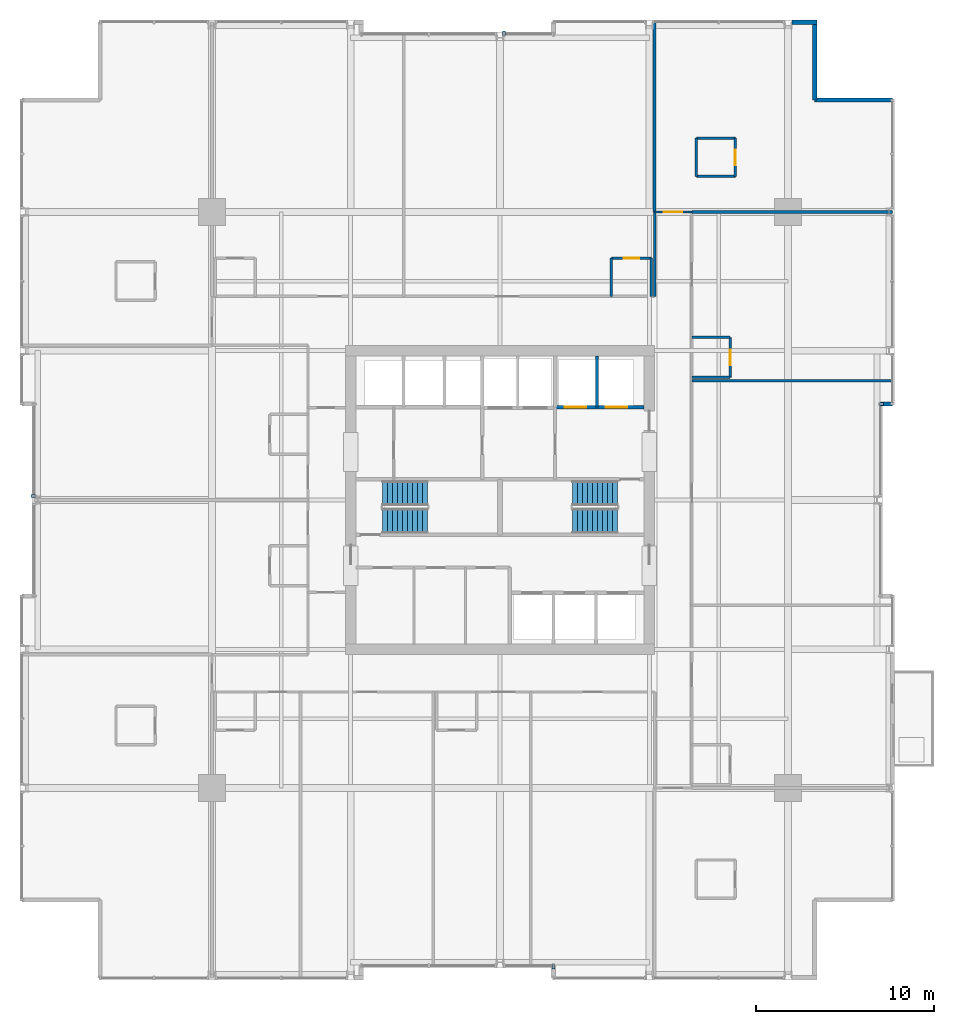
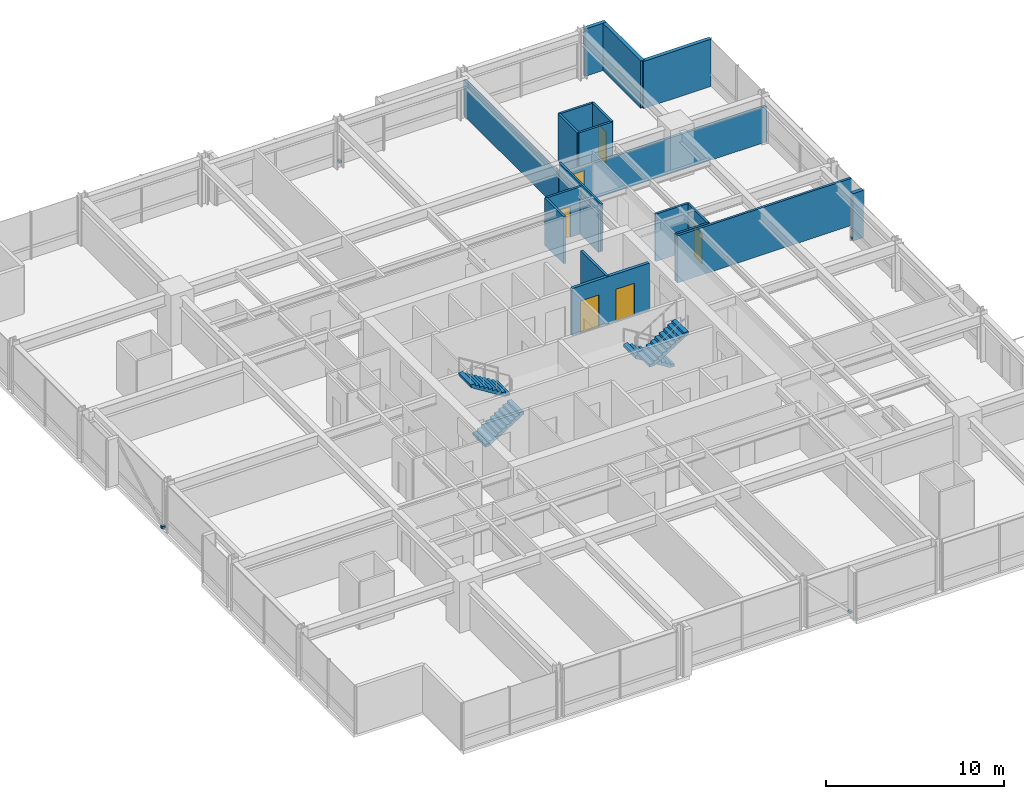
# One storey, part 31 of 34: 21 walls, 6 doors, 4 discrete accessories, 4 stair flights, 6 openings, 2 elements without a shape of their own.
"""IFC4 building model written with IfcOpenShell, lengths in metres."""

from ifc_helpers import new_model, si_unit, direction, frame, frame_2d, origin, origin_2d, place, context, subcontext, project, spatial, polyline, rectangle, outline, extrude, material, layer, layer_set, type_object, element, fill, aggregate, save


model = new_model("IFC4")

# Units and contexts
model_context = context("Model", 3, precision=1e-05, world=origin(), true_north=direction((0.0, 1.0)))
body_context = subcontext(model_context, "Body", "Model", "MODEL_VIEW")
ifc_project = project(units=[si_unit("LENGTHUNIT", "METRE"), si_unit("AREAUNIT", "SQUARE_METRE"), si_unit("VOLUMEUNIT", "CUBIC_METRE"), si_unit("PLANEANGLEUNIT", "RADIAN"), si_unit("MASSUNIT", "GRAM", prefix="KILO")], contexts=[model_context])

# Site, building, storey
site_placement = place(None, origin())
site = spatial("IfcSite", under=ifc_project, at=site_placement, CompositionType="ELEMENT")
building_placement = place(site_placement, origin())
building = spatial("IfcBuilding", under=site, at=building_placement, Name="Drelvath Grand Hotel", CompositionType="ELEMENT")
storey_placement = place(building_placement, frame((0.0, 0.0, 116.300048828125)))
storey = spatial("IfcBuildingStorey", under=building, at=storey_placement, Name="L29", CompositionType="ELEMENT", Elevation=116.300048828125)

# Wall, openings, doors
ifc_material_1 = material(Name="Concrete C40/50", Category="concrete")
ifc_layer_1 = layer(ifc_material_1, 0.199951171875)
ifc_layer_set_1 = layer_set([ifc_layer_1], Name="Concrete C40/50")
wall_type_1 = type_object("IfcWallType", Name="Core Hoistway Fire Wall 200", PredefinedType="SOLIDWALL", material=ifc_layer_set_1)
wall_1_placement = place(storey_placement, frame((3.10009765625, 32.219970703125, 0.0), z_axis=(0.0, 0.0, 1.0), x_axis=(1.0, 0.0, 0.0)))
wall_1 = element("IfcWall", 1, at=wall_1_placement, inside=storey, type_object=wall_type_1, Name="L29 FSAE Hoistway Front Wall", PredefinedType="SOLIDWALL", context=body_context, shape_type="SweptSolid", body=[
    extrude(rectangle(XDim=5.0, YDim=0.199951171875, at=frame_2d((2.5, 0.0))), origin(), (0.0, 0.0, 1.0), 3.239990234375),
])
opening_1_placement = place(wall_1_placement, frame((0.550048828125, 0.0, 0.0)))
opening_1 = element("IfcOpeningElement", 2, at=opening_1_placement, cuts=wall_1, Name="Opening LD-FSAE-1", PredefinedType="OPENING", context=body_context, shape_type="SweptSolid", body=[
    extrude(rectangle(XDim=1.199951171875, YDim=2.199951171875, at=frame_2d((0.60009765625, 1.10009765625))), frame((0.0, 0.10986328125, 0.0), z_axis=(0.0, -1.0, 0.0), x_axis=(1.0, 0.0, 0.0)), (0.0, 0.0, 1.0), 0.219970703125),
])
opening_2_placement = place(wall_1_placement, frame((2.85009765625, 0.0, 0.0)))
opening_2 = element("IfcOpeningElement", 3, at=opening_2_placement, cuts=wall_1, Name="Opening LD-FSAE-2", PredefinedType="OPENING", context=body_context, shape_type="SweptSolid", body=[
    extrude(rectangle(XDim=1.199951171875, YDim=2.199951171875, at=frame_2d((0.60009765625, 1.10009765625))), frame((0.0, 0.10986328125, 0.0), z_axis=(0.0, -1.0, 0.0), x_axis=(1.0, 0.0, 0.0)), (0.0, 0.0, 1.0), 0.219970703125),
])
ifc_material_2 = material(Name="Stainless Steel S355", Category="steel")
door_type_1 = type_object("IfcDoorType", Name="FSAE Lift Sliding Landing Door 1200x2200", OperationType="NOTDEFINED", PredefinedType="DOOR", material=ifc_material_2)
door_1_placement = place(opening_1_placement, origin())
door_1 = element("IfcDoor", 4, at=door_1_placement, inside=storey, type_object=door_type_1, Name="L29 Lift FSAE-1 Landing Door", OperationType="SLIDING_TO_LEFT", OverallHeight=2.199951171875, OverallWidth=1.199951171875, PredefinedType="DOOR", context=body_context, shape_type="SweptSolid", body=[
    extrude(rectangle(XDim=1.199951171875, YDim=2.199951171875, at=frame_2d((0.60009765625, 1.10009765625))), frame((0.0, 0.02490234375, 0.0), z_axis=(0.0, -1.0, 0.0), x_axis=(1.0, 0.0, 0.0)), (0.0, 0.0, 1.0), 0.050048828125),
])
fill(opening_1, door_1)
door_2_placement = place(opening_2_placement, origin())
door_2 = element("IfcDoor", 5, at=door_2_placement, inside=storey, type_object=door_type_1, Name="L29 Lift FSAE-2 Landing Door", OperationType="SLIDING_TO_LEFT", OverallHeight=2.199951171875, OverallWidth=1.199951171875, PredefinedType="DOOR", context=body_context, shape_type="SweptSolid", body=[
    extrude(rectangle(XDim=1.199951171875, YDim=2.199951171875, at=frame_2d((0.60009765625, 1.10009765625))), frame((0.0, 0.02490234375, 0.0), z_axis=(0.0, -1.0, 0.0), x_axis=(1.0, 0.0, 0.0)), (0.0, 0.0, 1.0), 0.050048828125),
])
fill(opening_2, door_2)

# Walls
ifc_material_3 = material(Name="Gypsum Fireboard Partition")
ifc_layer_2 = layer(ifc_material_3, 0.1650390625)
ifc_layer_set_2 = layer_set([ifc_layer_2], Name="Gypsum Fireboard Partition")
wall_type_2 = type_object("IfcWallType", Name="Core Shaft Partition 165", PredefinedType="PARTITIONING", material=ifc_layer_set_2)
wall_2_placement = place(storey_placement, frame((5.449951171875, 32.219970703125, 0.0), z_axis=(0.0, 0.0, 1.0), x_axis=(0.0, 1.0, 0.0)))
element("IfcWall", 6, at=wall_2_placement, inside=storey, type_object=wall_type_2, Name="L29 FSAE Hoistway Divider", PredefinedType="PARTITIONING", context=body_context, shape_type="SweptSolid", body=[
    extrude(rectangle(XDim=2.880126953125, YDim=0.1650390625, at=frame_2d((1.43994140625, 0.0))), origin(), (0.0, 0.0, 1.0), 3.239990234375),
])
ifc_layer_3 = layer(ifc_material_3, 0.135009765625)
ifc_layer_set_3 = layer_set([ifc_layer_3], Name="Gypsum Fireboard Partition")
wall_type_3 = type_object("IfcWallType", Name="Corridor Fire Barrier Wall 135", PredefinedType="PARTITIONING", material=ifc_layer_set_3)
wall_3_placement = place(storey_placement, frame((8.699951171875, 38.449951171875, 0.0), z_axis=(0.0, 0.0, 1.0), x_axis=(0.0, 1.0, 0.0)))
element("IfcWall", 7, at=wall_3_placement, inside=storey, type_object=wall_type_3, Name="L29 East Spine North Inner Wall", PredefinedType="PARTITIONING", context=body_context, shape_type="SweptSolid", body=[
    extrude(rectangle(XDim=4.75, YDim=0.135009765625, at=frame_2d((2.375, 0.0))), origin(), (0.0, 0.0, 1.0), 3.239990234375),
])

# Wall, opening, door
wall_4_placement = place(storey_placement, frame((8.699951171875, 43.199951171875, 0.0), z_axis=(0.0, 0.0, 1.0), x_axis=(1.0, 0.0, 0.0)))
wall_4 = element("IfcWall", 8, at=wall_4_placement, inside=storey, type_object=wall_type_3, Name="L29 East Spine North End", PredefinedType="PARTITIONING", context=body_context, shape_type="SweptSolid", body=[
    extrude(rectangle(XDim=2.10009765625, YDim=0.135009765625, at=frame_2d((1.050048828125, 0.0))), origin(), (0.0, 0.0, 1.0), 2.45166015625),
])
opening_3_placement = place(wall_4_placement, frame((0.52001953125, 0.0, 0.0)))
opening_3 = element("IfcOpeningElement", 9, at=opening_3_placement, cuts=wall_4, Name="Opening D-T2G3-028", PredefinedType="OPENING", context=body_context, shape_type="SweptSolid", body=[
    extrude(rectangle(XDim=1.02001953125, YDim=2.14990234375, at=frame_2d((0.510009765625, 1.074951171875))), frame((0.0, 0.077392578125, 0.0), z_axis=(0.0, -1.0, 0.0), x_axis=(1.0, 0.0, 0.0)), (0.0, 0.0, 1.0), 0.155029296875),
])
ifc_material_4 = material(Name="Hardwood Walnut Timber", Category="wood")
door_type_2 = type_object("IfcDoorType", Name="Amenity Meeting Fire Door 1020x2150", OperationType="NOTDEFINED", PredefinedType="DOOR", material=ifc_material_4)
door_3_placement = place(opening_3_placement, origin())
door_3 = element("IfcDoor", 10, at=door_3_placement, inside=storey, type_object=door_type_2, Name="L29 Corner Suite Entry Door", OperationType="SINGLE_SWING_LEFT", OverallHeight=2.14990234375, OverallWidth=1.02001953125, PredefinedType="DOOR", context=body_context, shape_type="SweptSolid", body=[
    extrude(rectangle(XDim=1.02001953125, YDim=2.14990234375, at=frame_2d((0.510009765625, 1.074951171875))), frame((0.0, 0.02490234375, 0.0), z_axis=(0.0, -1.0, 0.0), x_axis=(1.0, 0.0, 0.0)), (0.0, 0.0, 1.0), 0.050048828125),
])
fill(opening_3, door_3)

# Walls
ifc_material_5 = material(Name="Moisture-Resistant Gypsum Board")
ifc_layer_4 = layer(ifc_material_5, 0.139892578125)
ifc_layer_set_4 = layer_set([ifc_layer_4], Name="Moisture-Resistant Gypsum Board")
wall_type_4 = type_object("IfcWallType", Name="En-Suite Plumbing Wall 140", PredefinedType="PLUMBINGWALL", material=ifc_layer_set_4)
for number, where, z_axis, x_axis, name in (
    (11, (11.0400390625, 45.199951171875, 0.0), (0.0, 0.0, 1.0), (1.0, 0.0, 0.0), "L29 Corner En-Suite South"),
    (12, (11.0400390625, 47.35009765625, 0.0), (0.0, 0.0, 1.0), (1.0, 0.0, 0.0), "L29 Corner En-Suite North"),
):
    element("IfcWall", number, at=place(storey_placement, frame(where, z_axis=z_axis, x_axis=x_axis)), inside=storey, type_object=wall_type_4, Name=name, PredefinedType="PLUMBINGWALL", context=body_context, shape_type="SweptSolid", body=[
        extrude(rectangle(XDim=2.199951171875, YDim=0.139892578125, at=frame_2d((1.10009765625, 0.0))), origin(), (0.0, 0.0, 1.0), 3.239990234375),
    ])
wall_5_placement = place(storey_placement, frame((11.0400390625, 45.199951171875, 0.0), z_axis=(0.0, 0.0, 1.0), x_axis=(0.0, 1.0, 0.0)))
element("IfcWall", 13, at=wall_5_placement, inside=storey, type_object=wall_type_4, Name="L29 Corner En-Suite West", PredefinedType="PLUMBINGWALL", context=body_context, shape_type="SweptSolid", body=[
    extrude(rectangle(XDim=2.150146484375, YDim=0.139892578125, at=frame_2d((1.0751953125, 0.0))), origin(), (0.0, 0.0, 1.0), 3.239990234375),
])

# Wall, opening, door
wall_6_placement = place(storey_placement, frame((13.239990234375, 45.199951171875, 0.0), z_axis=(0.0, 0.0, 1.0), x_axis=(0.0, 1.0, 0.0)))
wall_6 = element("IfcWall", 14, at=wall_6_placement, inside=storey, type_object=wall_type_4, Name="L29 Corner En-Suite East", PredefinedType="PLUMBINGWALL", context=body_context, shape_type="SweptSolid", body=[
    extrude(rectangle(XDim=2.150146484375, YDim=0.139892578125, at=frame_2d((1.0751953125, 0.0))), origin(), (0.0, 0.0, 1.0), 3.239990234375),
])
opening_4_placement = place(wall_6_placement, frame((0.6201171875, 0.0, 0.0)))
opening_4 = element("IfcOpeningElement", 15, at=opening_4_placement, cuts=wall_6, Name="Opening D-T2G3-027", PredefinedType="OPENING", context=body_context, shape_type="SweptSolid", body=[
    extrude(rectangle(XDim=0.8798828125, YDim=2.10009765625, at=frame_2d((0.43994140625, 1.050048828125))), frame((0.0, 0.079833984375, 0.0), z_axis=(0.0, -1.0, 0.0), x_axis=(1.0, 0.0, 0.0)), (0.0, 0.0, 1.0), 0.159912109375),
])
door_type_3 = type_object("IfcDoorType", Name="En-Suite Bathroom Door 880x2100", OperationType="NOTDEFINED", PredefinedType="DOOR", material=ifc_material_4)
door_4_placement = place(opening_4_placement, origin())
door_4 = element("IfcDoor", 16, at=door_4_placement, inside=storey, type_object=door_type_3, Name="L29 Corner En-Suite Door", OperationType="SINGLE_SWING_RIGHT", OverallHeight=2.10009765625, OverallWidth=0.8798828125, PredefinedType="DOOR", context=body_context, shape_type="SweptSolid", body=[
    extrude(rectangle(XDim=0.8798828125, YDim=2.10009765625, at=frame_2d((0.43994140625, 1.050048828125))), frame((0.0, 0.02490234375, 0.0), z_axis=(0.0, -1.0, 0.0), x_axis=(1.0, 0.0, 0.0)), (0.0, 0.0, 1.0), 0.050048828125),
])
fill(opening_4, door_4)

# Walls
wall_7_placement = place(storey_placement, frame((6.27001953125, 38.449951171875, 0.0), z_axis=(0.0, 0.0, 1.0), x_axis=(0.0, 1.0, 0.0)))
element("IfcWall", 17, at=wall_7_placement, inside=storey, type_object=wall_type_4, Name="L29 En-Suite Left Wall", PredefinedType="PLUMBINGWALL", context=body_context, shape_type="SweptSolid", body=[
    extrude(rectangle(XDim=2.150146484375, YDim=0.139892578125, at=frame_2d((1.0751953125, 0.0))), origin(), (0.0, 0.0, 1.0), 3.239990234375),
])
wall_8_placement = place(storey_placement, frame((8.52001953125, 38.449951171875, 0.0), z_axis=(0.0, 0.0, 1.0), x_axis=(0.0, 1.0, 0.0)))
element("IfcWall", 18, at=wall_8_placement, inside=storey, type_object=wall_type_4, Name="L29 En-Suite Right Wall", PredefinedType="PLUMBINGWALL", context=body_context, shape_type="SweptSolid", body=[
    extrude(rectangle(XDim=2.150146484375, YDim=0.139892578125, at=frame_2d((1.0751953125, 0.0))), origin(), (0.0, 0.0, 1.0), 2.617431640625),
])

# Wall, opening, door
wall_9_placement = place(storey_placement, frame((6.27001953125, 40.60009765625, 0.0), z_axis=(0.0, 0.0, 1.0), x_axis=(1.0, 0.0, 0.0)))
wall_9 = element("IfcWall", 19, at=wall_9_placement, inside=storey, type_object=wall_type_4, Name="L29 En-Suite Front Wall", PredefinedType="PLUMBINGWALL", context=body_context, shape_type="SweptSolid", body=[
    extrude(rectangle(XDim=2.25, YDim=0.139892578125, at=frame_2d((1.125, 0.0))), origin(), (0.0, 0.0, 1.0), 3.239990234375),
])
opening_5_placement = place(wall_9_placement, frame((0.68505859375, 0.0, 0.0)))
opening_5 = element("IfcOpeningElement", 20, at=opening_5_placement, cuts=wall_9, Name="Opening D-T2G3-037", PredefinedType="OPENING", context=body_context, shape_type="SweptSolid", body=[
    extrude(rectangle(XDim=0.8798828125, YDim=2.10009765625, at=frame_2d((0.43994140625, 1.050048828125))), frame((0.0, 0.079833984375, 0.0), z_axis=(0.0, -1.0, 0.0), x_axis=(1.0, 0.0, 0.0)), (0.0, 0.0, 1.0), 0.159912109375),
])
door_5_placement = place(opening_5_placement, origin())
door_5 = element("IfcDoor", 21, at=door_5_placement, inside=storey, type_object=door_type_3, Name="L29 En-Suite Bathroom Door", OperationType="SINGLE_SWING_RIGHT", OverallHeight=2.10009765625, OverallWidth=0.8798828125, PredefinedType="DOOR", context=body_context, shape_type="SweptSolid", body=[
    extrude(rectangle(XDim=0.8798828125, YDim=2.10009765625, at=frame_2d((0.43994140625, 1.050048828125))), frame((0.0, 0.02490234375, 0.0), z_axis=(0.0, -1.0, 0.0), x_axis=(1.0, 0.0, 0.0)), (0.0, 0.0, 1.0), 0.050048828125),
])
fill(opening_5, door_5)

# Walls
for number, where, z_axis, x_axis, name in (
    (22, (10.800048828125, 33.897216796875, 0.0), (0.0, 0.0, 1.0), (1.0, 0.0, 0.0), "L29 En-Suite Left Wall"),
    (23, (10.800048828125, 36.147216796875, 0.0), (0.0, 0.0, 1.0), (1.0, 0.0, 0.0), "L29 En-Suite Right Wall"),
):
    element("IfcWall", number, at=place(storey_placement, frame(where, z_axis=z_axis, x_axis=x_axis)), inside=storey, type_object=wall_type_4, Name=name, PredefinedType="PLUMBINGWALL", context=body_context, shape_type="SweptSolid", body=[
        extrude(rectangle(XDim=2.14990234375, YDim=0.139892578125, at=frame_2d((1.074951171875, 0.0))), origin(), (0.0, 0.0, 1.0), 3.239990234375),
    ])

# Wall, opening, door
wall_10_placement = place(storey_placement, frame((12.949951171875, 33.897216796875, 0.0), z_axis=(0.0, 0.0, 1.0), x_axis=(0.0, 1.0, 0.0)))
wall_10 = element("IfcWall", 24, at=wall_10_placement, inside=storey, type_object=wall_type_4, Name="L29 En-Suite Front Wall", PredefinedType="PLUMBINGWALL", context=body_context, shape_type="SweptSolid", body=[
    extrude(rectangle(XDim=2.25, YDim=0.139892578125, at=frame_2d((1.125, 0.0))), origin(), (0.0, 0.0, 1.0), 3.239990234375),
])
opening_6_placement = place(wall_10_placement, frame((0.68505859375, 0.0, 0.0)))
opening_6 = element("IfcOpeningElement", 25, at=opening_6_placement, cuts=wall_10, Name="Opening D-T2G3-042", PredefinedType="OPENING", context=body_context, shape_type="SweptSolid", body=[
    extrude(rectangle(XDim=0.8798828125, YDim=2.10009765625, at=frame_2d((0.43994140625, 1.050048828125))), frame((0.0, 0.079833984375, 0.0), z_axis=(0.0, -1.0, 0.0), x_axis=(1.0, 0.0, 0.0)), (0.0, 0.0, 1.0), 0.159912109375),
])
door_6_placement = place(opening_6_placement, origin())
door_6 = element("IfcDoor", 26, at=door_6_placement, inside=storey, type_object=door_type_3, Name="L29 En-Suite Bathroom Door", OperationType="SINGLE_SWING_LEFT", OverallHeight=2.10009765625, OverallWidth=0.8798828125, PredefinedType="DOOR", context=body_context, shape_type="SweptSolid", body=[
    extrude(rectangle(XDim=0.8798828125, YDim=2.10009765625, at=frame_2d((0.43994140625, 1.050048828125))), frame((0.0, 0.02490234375, 0.0), z_axis=(0.0, -1.0, 0.0), x_axis=(1.0, 0.0, 0.0)), (0.0, 0.0, 1.0), 0.050048828125),
])
fill(opening_6, door_6)

# Walls
ifc_material_6 = material(Name="Gypsum Acoustic Partition")
ifc_layer_5 = layer(ifc_material_6, 0.14990234375)
ifc_layer_set_5 = layer_set([ifc_layer_5], Name="Gypsum Acoustic Partition")
wall_type_5 = type_object("IfcWallType", Name="Guestroom Demising Wall 150", PredefinedType="PARTITIONING", material=ifc_layer_set_5)
wall_11_placement = place(storey_placement, frame((10.800048828125, 33.717041015625, 0.0), z_axis=(0.0, 0.0, 1.0), x_axis=(1.0, 0.0, 0.0)))
element("IfcWall", 27, at=wall_11_placement, inside=storey, type_object=wall_type_5, Name="L29 East Demising 2", PredefinedType="PARTITIONING", context=body_context, shape_type="SweptSolid", body=[
    extrude(rectangle(XDim=11.280029296875, YDim=0.14990234375, at=frame_2d((5.64013671875, 0.0))), origin(), (0.0, 0.0, 1.0), 3.239990234375),
])
ifc_layer_6 = layer(ifc_material_6, 0.1650390625)
ifc_layer_set_6 = layer_set([ifc_layer_6], Name="Gypsum Acoustic Partition")
wall_type_6 = type_object("IfcWallType", Name="Suite Demising Wall 165", PredefinedType="PARTITIONING", material=ifc_layer_set_6)
wall_12_placement = place(storey_placement, frame((8.699951171875, 43.199951171875, 0.0), z_axis=(0.0, 0.0, 1.0), x_axis=(0.0, 1.0, 0.0)))
element("IfcWall", 28, at=wall_12_placement, inside=storey, type_object=wall_type_6, Name="L29 NE Suite West Wall", PredefinedType="PARTITIONING", context=body_context, shape_type="SweptSolid", body=[
    extrude(rectangle(XDim=10.679931640625, YDim=0.1650390625, at=frame_2d((5.33984375, 0.0))), origin(), (0.0, 0.0, 1.0), 2.45166015625),
])
wall_13_placement = place(storey_placement, frame((10.800048828125, 43.199951171875, 0.0), z_axis=(0.0, 0.0, 1.0), x_axis=(1.0, 0.0, 0.0)))
element("IfcWall", 29, at=wall_13_placement, inside=storey, type_object=wall_type_6, Name="L29 NE Suite South Wall", PredefinedType="PARTITIONING", context=body_context, shape_type="SweptSolid", body=[
    extrude(rectangle(XDim=11.280029296875, YDim=0.1650390625, at=frame_2d((5.64013671875, 0.0))), origin(), (0.0, 0.0, 1.0), 2.45166015625),
])
ifc_material_7 = material(Name="Pale-Metal Insulated Aluminium Spandrel Assembly", Category="aluminium")
ifc_layer_7 = layer(ifc_material_7, 0.239990234375)
ifc_layer_set_7 = layer_set([ifc_layer_7], Name="Pale-Metal Insulated Aluminium Spandrel Assembly")
wall_type_7 = type_object("IfcWallType", Name="Tower Insulated Metal Spandrel Closure Wall 240", PredefinedType="STANDARD", material=ifc_layer_set_7)
wall_14_placement = place(storey_placement, frame((16.419677734375, 53.8798828125, 0.0), z_axis=(0.0, 0.0, 1.0), x_axis=(1.0, 0.0, 0.0)))
element("IfcWall", 30, at=wall_14_placement, inside=storey, type_object=wall_type_7, Name="L29 Corner Pier Spandrel Wall NE3", PredefinedType="STANDARD", context=body_context, shape_type="SweptSolid", body=[
    extrude(rectangle(XDim=1.400390625, YDim=0.239990234375, at=frame_2d((0.7001953125, 0.0))), origin(), (0.0, 0.0, 1.0), 3.239990234375),
])
wall_15_placement = place(storey_placement, frame((17.699951171875, 53.760009765625, 0.0), z_axis=(0.0, 0.0, 1.0), x_axis=(0.0, -1.0, 0.0)))
element("IfcWall", 31, at=wall_15_placement, inside=storey, type_object=wall_type_7, Name="L29 Notched Corner Return Spandrel Wall CNE1", PredefinedType="STANDARD", context=body_context, shape_type="SweptSolid", body=[
    extrude(rectangle(XDim=4.260009765625, YDim=0.239990234375, at=frame_2d((2.1298828125, 0.0))), origin(), (0.0, 0.0, 1.0), 3.239990234375),
])
wall_16_placement = place(storey_placement, frame((17.699951171875, 49.5, 0.0), z_axis=(0.0, 0.0, 1.0), x_axis=(1.0, 0.0, 0.0)))
element("IfcWall", 32, at=wall_16_placement, inside=storey, type_object=wall_type_7, Name="L29 Notched Corner Return Spandrel Wall CNE2", PredefinedType="STANDARD", context=body_context, shape_type="SweptSolid", body=[
    extrude(rectangle(XDim=4.380126953125, YDim=0.239990234375, at=frame_2d((2.18994140625, 0.0))), origin(), (0.0, 0.0, 1.0), 3.239990234375),
])
wall_17_placement = place(storey_placement, frame((22.080078125, 32.39990234375, 0.0), z_axis=(0.0, 0.0, 1.0), x_axis=(-1.0, 0.0, 0.0)))
element("IfcWall", 33, at=wall_17_placement, inside=storey, type_object=wall_type_7, Name="L29 Notched Corner Return Spandrel Wall RE1", PredefinedType="STANDARD", context=body_context, shape_type="SweptSolid", body=[
    extrude(rectangle(XDim=0.68017578125, YDim=0.239990234375, at=frame_2d((0.340087890625, 0.0))), origin(), (0.0, 0.0, 1.0), 3.239990234375),
])

# Stair, stair flights
stair_type = type_object("IfcStairType", Name="Dogleg Exit Stair W1400-R175.0", PredefinedType="HALF_TURN_STAIR", material=ifc_material_1)
stair_1_placement = place(storey_placement, origin())
stair_1 = element("IfcStair", 34, at=stair_1_placement, inside=storey, type_object=stair_type, Name="L29 Core Exit Stair ST-1", PredefinedType="HALF_TURN_STAIR")
stair_flight_type = type_object("IfcStairFlightType", Name="Concrete Stair Flight W1400-R175.0", PredefinedType="STRAIGHT", material=ifc_material_1)
stair_flight_1_placement = place(storey_placement, frame((-6.60009765625, 25.820068359375, 0.0), z_axis=(0.0, 0.0, 1.0), x_axis=(1.0, 0.0, 0.0)))
stair_flight_1 = element("IfcStairFlight", 35, at=stair_flight_1_placement, type_object=stair_flight_type, Name="ST-1 flight 1", NumberOfRisers=10, NumberOfTreads=9, PredefinedType="STRAIGHT", RiserHeight=0.175, TreadLength=0.28, context=body_context, shape_type="SweptSolid", body=[
    extrude(outline(polyline([(0.0, 0.0), (0.0, 0.175048828125), (0.280029296875, 0.175048828125), (0.280029296875, 0.35009765625), (0.56005859375, 0.35009765625), (0.56005859375, 0.52490234375), (0.840087890625, 0.52490234375), (0.840087890625, 0.699951171875), (1.1201171875, 0.699951171875), (1.1201171875, 0.875), (1.39990234375, 0.875), (1.39990234375, 1.050048828125), (1.679931640625, 1.050048828125), (1.679931640625, 1.22509765625), (1.9599609375, 1.22509765625), (1.9599609375, 1.39990234375), (2.239990234375, 1.39990234375), (2.239990234375, 1.574951171875), (2.52001953125, 1.574951171875), (2.52001953125, 1.75), (2.52001953125, 1.386474609375), (0.3017578125, 0.0), (0.0, 0.0)])), frame((0.0, 0.699951171875, 0.0), z_axis=(0.0, -1.0, 0.0), x_axis=(1.0, 0.0, 0.0)), (0.0, 0.0, 1.0), 1.39990234375),
])
stair_flight_2_placement = place(storey_placement, frame((-4.080078125, 27.3798828125, 1.75), z_axis=(0.0, 0.0, 1.0), x_axis=(-1.0, 0.0, 0.0)))
stair_flight_2 = element("IfcStairFlight", 36, at=stair_flight_2_placement, type_object=stair_flight_type, Name="ST-1 flight 2", NumberOfRisers=10, NumberOfTreads=9, PredefinedType="STRAIGHT", RiserHeight=0.175, TreadLength=0.28, context=body_context, shape_type="SweptSolid", body=[
    extrude(outline(polyline([(0.0, 0.0), (0.0, 0.175048828125), (0.280029296875, 0.175048828125), (0.280029296875, 0.35009765625), (0.56005859375, 0.35009765625), (0.56005859375, 0.52490234375), (0.840087890625, 0.52490234375), (0.840087890625, 0.699951171875), (1.1201171875, 0.699951171875), (1.1201171875, 0.875), (1.39990234375, 0.875), (1.39990234375, 1.050048828125), (1.679931640625, 1.050048828125), (1.679931640625, 1.22509765625), (1.9599609375, 1.22509765625), (1.9599609375, 1.39990234375), (2.239990234375, 1.39990234375), (2.239990234375, 1.574951171875), (2.52001953125, 1.574951171875), (2.52001953125, 1.75), (2.52001953125, 1.386474609375), (0.3017578125, 0.0), (0.0, 0.0)])), frame((0.0, 0.699951171875, 0.0), z_axis=(0.0, -1.0, 0.0), x_axis=(1.0, 0.0, 0.0)), (0.0, 0.0, 1.0), 1.39990234375),
])
aggregate(stair_1, [stair_flight_1, stair_flight_2])

stair_2_placement = place(storey_placement, origin())
stair_2 = element("IfcStair", 37, at=stair_2_placement, inside=storey, type_object=stair_type, Name="L29 Core Exit Stair ST-2", PredefinedType="HALF_TURN_STAIR")
stair_flight_3_placement = place(storey_placement, frame((6.60009765625, 27.3798828125, 0.0), z_axis=(0.0, 0.0, 1.0), x_axis=(-1.0, 0.0, 0.0)))
stair_flight_3 = element("IfcStairFlight", 38, at=stair_flight_3_placement, type_object=stair_flight_type, Name="ST-2 flight 1", NumberOfRisers=10, NumberOfTreads=9, PredefinedType="STRAIGHT", RiserHeight=0.175, TreadLength=0.28, context=body_context, shape_type="SweptSolid", body=[
    extrude(outline(polyline([(0.0, 0.0), (0.0, 0.175048828125), (0.280029296875, 0.175048828125), (0.280029296875, 0.35009765625), (0.56005859375, 0.35009765625), (0.56005859375, 0.52490234375), (0.840087890625, 0.52490234375), (0.840087890625, 0.699951171875), (1.1201171875, 0.699951171875), (1.1201171875, 0.875), (1.39990234375, 0.875), (1.39990234375, 1.050048828125), (1.679931640625, 1.050048828125), (1.679931640625, 1.22509765625), (1.9599609375, 1.22509765625), (1.9599609375, 1.39990234375), (2.239990234375, 1.39990234375), (2.239990234375, 1.574951171875), (2.52001953125, 1.574951171875), (2.52001953125, 1.75), (2.52001953125, 1.386474609375), (0.3017578125, 0.0), (0.0, 0.0)])), frame((0.0, 0.699951171875, 0.0), z_axis=(0.0, -1.0, 0.0), x_axis=(1.0, 0.0, 0.0)), (0.0, 0.0, 1.0), 1.39990234375),
])
stair_flight_4_placement = place(storey_placement, frame((4.080078125, 25.820068359375, 1.75), z_axis=(0.0, 0.0, 1.0), x_axis=(1.0, 0.0, 0.0)))
stair_flight_4 = element("IfcStairFlight", 39, at=stair_flight_4_placement, type_object=stair_flight_type, Name="ST-2 flight 2", NumberOfRisers=10, NumberOfTreads=9, PredefinedType="STRAIGHT", RiserHeight=0.175, TreadLength=0.28, context=body_context, shape_type="SweptSolid", body=[
    extrude(outline(polyline([(0.0, 0.0), (0.0, 0.175048828125), (0.280029296875, 0.175048828125), (0.280029296875, 0.35009765625), (0.56005859375, 0.35009765625), (0.56005859375, 0.52490234375), (0.840087890625, 0.52490234375), (0.840087890625, 0.699951171875), (1.1201171875, 0.699951171875), (1.1201171875, 0.875), (1.39990234375, 0.875), (1.39990234375, 1.050048828125), (1.679931640625, 1.050048828125), (1.679931640625, 1.22509765625), (1.9599609375, 1.22509765625), (1.9599609375, 1.39990234375), (2.239990234375, 1.39990234375), (2.239990234375, 1.574951171875), (2.52001953125, 1.574951171875), (2.52001953125, 1.75), (2.52001953125, 1.386474609375), (0.3017578125, 0.0), (0.0, 0.0)])), frame((0.0, 0.699951171875, 0.0), z_axis=(0.0, -1.0, 0.0), x_axis=(1.0, 0.0, 0.0)), (0.0, 0.0, 1.0), 1.39990234375),
])
aggregate(stair_2, [stair_flight_3, stair_flight_4])

# Discrete accessories
ifc_material_8 = material(Name="Stainless Steel Grade 316", Category="steel")
discrete_accessory_type = type_object("IfcDiscreteAccessoryType", Name="Curtain Wall Fin Mounting Bracket Cleat", PredefinedType="BRACKET", material=ifc_material_8)
for number, where, z_axis, x_axis, name in (
    (40, (-26.260009765625, 27.219482421875, 0.10009765625), (0.0, 0.0, 1.0), (0.0, 1.0, 0.0), "L29 Fin Mounting Bracket CW03-L29-WM2-1"),
    (41, (21.4599609375, 32.39990234375, 0.10009765625), (0.0, 0.0, 1.0), (0.0, -1.0, 0.0), "L29 Fin Mounting Bracket CW03-L29-EM2-1"),
    (42, (0.219482421875, 53.260009765625, 0.10009765625), (0.0, 0.0, 1.0), (1.0, 0.0, 0.0), "L29 Fin Mounting Bracket CW03-L29-NM2-1"),
    (43, (3.0, 0.739990234375, 0.10009765625), (0.0, 0.0, 1.0), (-1.0, 0.0, 0.0), "L29 Fin Mounting Bracket CW03-L29-SM2-1"),
):
    element("IfcDiscreteAccessory", number, at=place(storey_placement, frame(where, z_axis=z_axis, x_axis=x_axis)), inside=storey, type_object=discrete_accessory_type, Name=name, PredefinedType="BRACKET", context=body_context, shape_type="SweptSolid", body=[
        extrude(rectangle(XDim=0.159912109375, YDim=0.239990234375, at=origin_2d()), origin(), (0.0, 0.0, 1.0), 0.159912109375),
    ])

save(model, "model.ifc")
